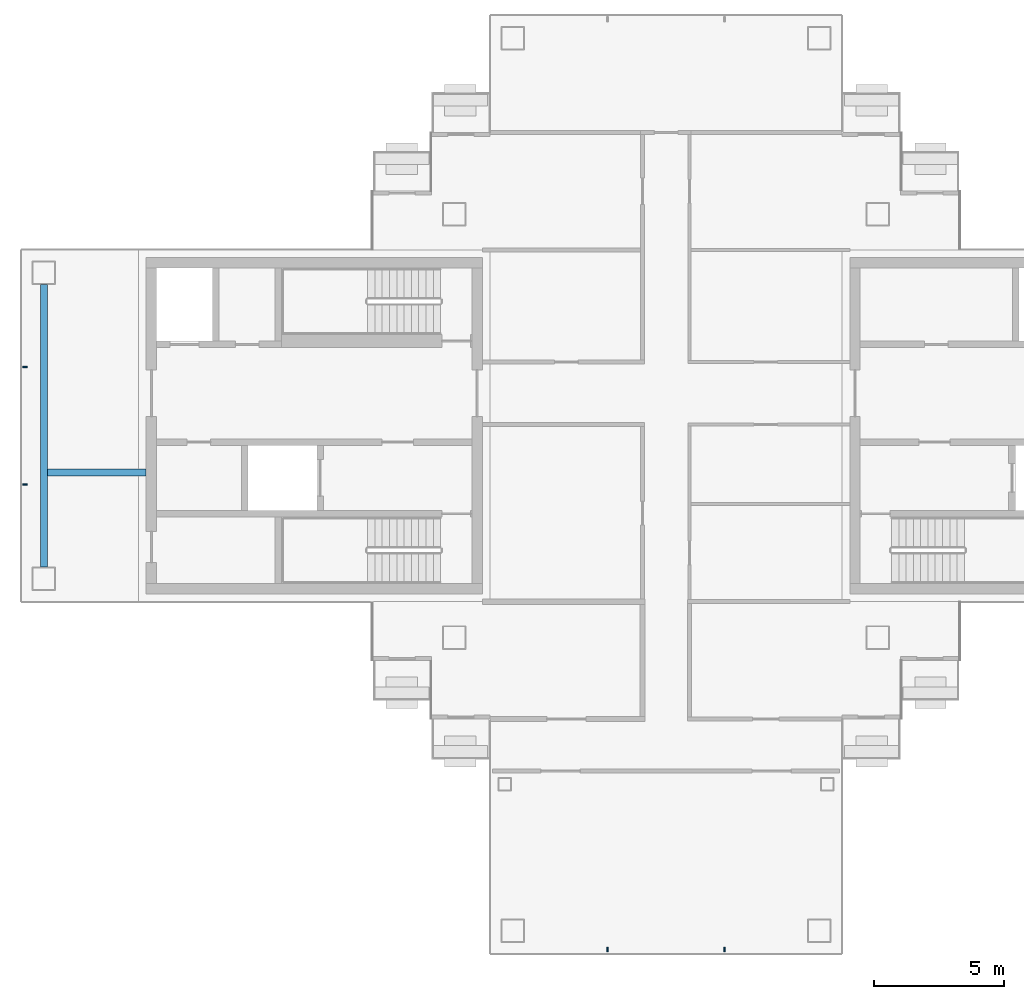
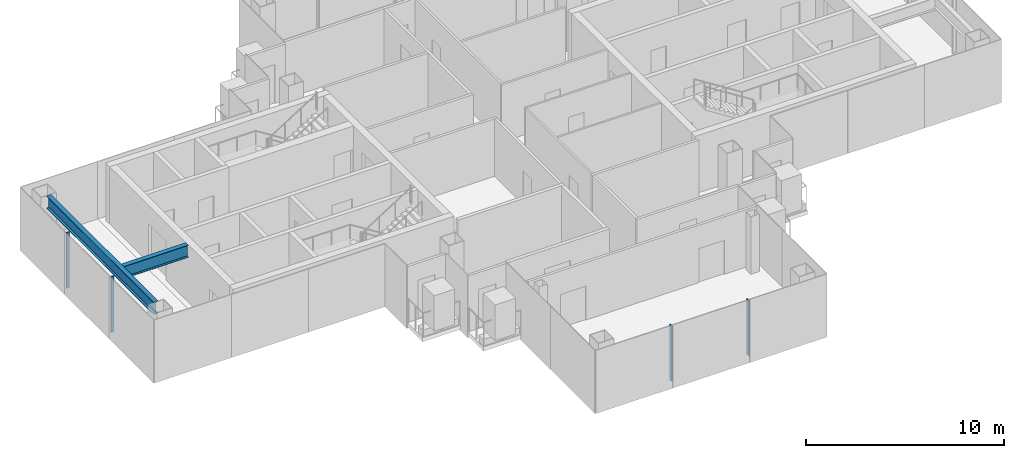
# One storey, part 3 of 16: 4 members, 2 beams, 2 elements without a shape of their own.
"""IFC4 building model written with IfcOpenShell, lengths in metres."""

import ifcopenshell
import ifcopenshell.guid

model = None  # the IFC model being written
_history = None  # IfcOwnerHistory: only IFC2X3 demands one
_inside = {}  # id of a spatial element -> (the spatial element, [elements in it])
_under = {}  # id of a project, library or spatial element -> (it, [spatial elements below it])
_declared = {}  # id of a project -> (the project, [libraries it declares])
_typed = {}  # id of a type object -> (the type object, [elements of that type])
_made_of = {}  # id of a material, layer set ... -> (it, [elements and type objects made of it])


def new_model(schema):
    """Start an empty IFC model of exactly this schema.

    Asked for "IFC4X3", IfcOpenShell would pick the latest addendum, in which some entities
    have other attributes; the version numbers below select the first issue.
    IFC2X3 requires an IfcOwnerHistory on every rooted entity: one is made here for all.
    """
    global model, _history
    if schema == "IFC4X3":
        model = ifcopenshell.file(schema_version=(4, 3, 0, 0))
    else:
        model = ifcopenshell.file(schema=schema)
    _inside.clear()
    _under.clear()
    _declared.clear()
    _typed.clear()
    _made_of.clear()
    _history = None
    if model.schema == "IFC2X3":
        org = make("IfcOrganization", Name="unknown")
        user = make(
            "IfcPersonAndOrganization",
            ThePerson=make("IfcPerson", FamilyName="unknown"),
            TheOrganization=org,
        )
        app = make(
            "IfcApplication",
            ApplicationDeveloper=org,
            Version="unknown",
            ApplicationFullName="unknown",
            ApplicationIdentifier="unknown",
        )
        _history = make(
            "IfcOwnerHistory",
            OwningUser=user,
            OwningApplication=app,
            ChangeAction="ADDED",
            CreationDate=0,
        )
    return model


def make(cls, **values):
    """One entity of the class cls with the attributes given. An attribute that is None is left unset."""
    return model.create_entity(
        cls, **{name: value for name, value in values.items() if value is not None}
    )


def rooted(cls, **values):
    """An entity with a GlobalId (a new one), such as an element, a storey or a relation."""
    return make(cls, GlobalId=ifcopenshell.guid.new(), OwnerHistory=_history, **values)


def si_unit(unit_type, name, prefix=None):
    """IfcSIUnit, for example si_unit("LENGTHUNIT", "METRE", prefix="MILLI")."""
    return make("IfcSIUnit", UnitType=unit_type, Prefix=prefix, Name=name)


def assignment(units):
    """IfcUnitAssignment: the units of a project."""
    return None if units is None else make("IfcUnitAssignment", Units=units)


def point(xyz):
    """IfcCartesianPoint."""
    return None if xyz is None else make("IfcCartesianPoint", Coordinates=xyz)


def direction(xyz):
    """IfcDirection."""
    return None if xyz is None else make("IfcDirection", DirectionRatios=xyz)


def frame(location, z_axis=None, x_axis=None):
    """IfcAxis2Placement3D, a coordinate frame: its origin and axes. An axis left out is left unset."""
    return make(
        "IfcAxis2Placement3D",
        Location=point(location),
        Axis=direction(z_axis),
        RefDirection=direction(x_axis),
    )


def frame_2d(location, x_axis=None):
    """IfcAxis2Placement2D, a coordinate frame in the plane: its origin and x axis."""
    return make(
        "IfcAxis2Placement2D", Location=point(location), RefDirection=direction(x_axis)
    )


def origin():
    """The frame at (0, 0, 0) with its axes left unset."""
    return frame((0.0, 0.0, 0.0))


def origin_2d():
    """The frame at (0, 0) in the plane with its x axis left unset."""
    return frame_2d((0.0, 0.0))


def place(relative_to, where):
    """IfcLocalPlacement: puts the frame where relative to a parent placement (None: the world)."""
    return make(
        "IfcLocalPlacement", PlacementRelTo=relative_to, RelativePlacement=where
    )


def context(
    kind, dimensions, precision=None, world=None, true_north=None, identifier=None
):
    """IfcGeometricRepresentationContext, for example the 3D "Model" context."""
    return make(
        "IfcGeometricRepresentationContext",
        ContextIdentifier=identifier,
        ContextType=kind,
        CoordinateSpaceDimension=dimensions,
        Precision=precision,
        WorldCoordinateSystem=world,
        TrueNorth=true_north,
    )


def subcontext(parent, identifier, kind, view, scale=None):
    """IfcGeometricRepresentationSubContext, for example "Body" below "Model"."""
    return make(
        "IfcGeometricRepresentationSubContext",
        ContextIdentifier=identifier,
        ContextType=kind,
        ParentContext=parent,
        TargetScale=scale,
        TargetView=view,
    )


def project(units=None, contexts=None):
    """IfcProject with its units and contexts."""
    return rooted(
        "IfcProject",
        Name="project",
        RepresentationContexts=contexts,
        UnitsInContext=assignment(units),
    )


def spatial(cls, under=None, at=None, **own):
    """A site, building, storey or space (cls), placed at a placement, below another one or the project."""
    s = rooted(cls, ObjectPlacement=at, **own)
    if under is not None:
        _under.setdefault(under.id(), (under, []))[1].append(s)
    return s


def profile(cls, at=None, kind="AREA", **sizes):
    """A parametric profile (cls). Its sizes go by their IFC names, for example OverallWidth=200.0."""
    return make(cls, ProfileType=kind, Position=at, **sizes)


def rectangle(**sizes):
    """IfcRectangleProfileDef."""
    return profile("IfcRectangleProfileDef", **sizes)


def i_section(**sizes):
    """IfcIShapeProfileDef."""
    return profile("IfcIShapeProfileDef", **sizes)


def extrude(swept, where, along, depth):
    """IfcExtrudedAreaSolid: the profile swept, set in the frame where, extruded along a direction by depth."""
    return make(
        "IfcExtrudedAreaSolid",
        SweptArea=swept,
        Position=where,
        ExtrudedDirection=direction(along),
        Depth=depth,
    )


def shape(context_of_items, identifier, shape_type, items):
    """IfcShapeRepresentation: the items that make up one representation, for example the "Body"."""
    return make(
        "IfcShapeRepresentation",
        ContextOfItems=context_of_items,
        RepresentationIdentifier=identifier,
        RepresentationType=shape_type,
        Items=items,
    )


def material(Name=None, Category=None):
    """IfcMaterial."""
    return make("IfcMaterial", Name=Name, Category=Category)


def layer(
    of_material, thickness, ventilated=None, Name=None, Category=None, Priority=None
):
    """IfcMaterialLayer: one layer of a wall or slab, of a material (None: an air gap)."""
    return make(
        "IfcMaterialLayer",
        Material=of_material,
        LayerThickness=thickness,
        IsVentilated=ventilated,
        Name=Name,
        Category=Category,
        Priority=Priority,
    )


def layer_set(layers, Name=None):
    """IfcMaterialLayerSet."""
    return make("IfcMaterialLayerSet", MaterialLayers=layers, LayerSetName=Name)


def material_profile(
    of_material, cross_section, Name=None, Category=None, Priority=None
):
    """IfcMaterialProfile: a cross section and its material."""
    return make(
        "IfcMaterialProfile",
        Name=Name,
        Material=of_material,
        Profile=cross_section,
        Priority=Priority,
        Category=Category,
    )


def profile_set(profiles, Name=None, composite=None):
    """IfcMaterialProfileSet."""
    return make(
        "IfcMaterialProfileSet",
        Name=Name,
        MaterialProfiles=profiles,
        CompositeProfile=composite,
    )


def made_of(thing, what):
    """Note that an element or type object is made of a material, layer set ...; save() writes the relation."""
    if what is not None:
        _made_of.setdefault(what.id(), (what, []))[1].append(thing)
    return thing


def type_object(cls, material=None, **own):
    """A type object (cls), such as IfcWallType, which elements share."""
    return made_of(rooted(cls, **own), material)


def element(
    cls,
    number,
    at=None,
    inside=None,
    cuts=None,
    type_object=None,
    material=None,
    context=None,
    identifier="Body",
    shape_type=None,
    held_by="IfcProductDefinitionShape",
    body=None,
    shapes=None,
    **own,
):
    """One element of the class cls, such as IfcWall. Its Tag is "e" and its number.

    at: its placement. inside: the storey or other place that contains it. cuts: it is an
    opening in that element (IfcRelVoidsElement). A single representation is given by context,
    identifier, shape_type and body (its items); several are given by shapes. held_by: the class
    of the entity that holds the representations. save() writes the other relations.
    """
    e = rooted(cls, Tag="e%d" % number, ObjectPlacement=at, **own)
    if body is not None:
        shapes = [shape(context, identifier, shape_type, body)]
    if shapes is not None:
        e.Representation = make(held_by, Representations=shapes)
    if inside is not None:
        _inside.setdefault(inside.id(), (inside, []))[1].append(e)
    if cuts is not None:
        rooted(
            "IfcRelVoidsElement", RelatingBuildingElement=cuts, RelatedOpeningElement=e
        )
    if type_object is not None:
        _typed.setdefault(type_object.id(), (type_object, []))[1].append(e)
    return made_of(e, material)


def aggregate(whole, parts):
    """IfcRelAggregates: a whole, such as a stair, and the parts it consists of."""
    return rooted("IfcRelAggregates", RelatingObject=whole, RelatedObjects=parts)


def save(model, path):
    """Write the relations noted so far, then the file.

    IfcRelAggregates (storeys below a building ...), IfcRelContainedInSpatialStructure (elements
    in a storey), IfcRelDefinesByType, IfcRelAssociatesMaterial and IfcRelDeclares: one each for
    every whole, place, type object, material and project.
    """
    for whole, parts in _under.values():
        aggregate(whole, parts)
    for where, things in _inside.values():
        rooted(
            "IfcRelContainedInSpatialStructure",
            RelatedElements=things,
            RelatingStructure=where,
        )
    for kind, things in _typed.values():
        rooted("IfcRelDefinesByType", RelatedObjects=things, RelatingType=kind)
    for what, things in _made_of.values():
        rooted("IfcRelAssociatesMaterial", RelatedObjects=things, RelatingMaterial=what)
    for by, libraries in _declared.values():
        rooted("IfcRelDeclares", RelatingContext=by, RelatedDefinitions=libraries)
    model.write(path)


model = new_model("IFC4")

# Units and contexts
model_context = context("Model", 3, precision=1e-05, world=origin(), true_north=direction((0.0, 1.0)))
body_context = subcontext(model_context, "Body", "Model", "MODEL_VIEW")
ifc_project = project(units=[si_unit("LENGTHUNIT", "METRE"), si_unit("AREAUNIT", "SQUARE_METRE"), si_unit("VOLUMEUNIT", "CUBIC_METRE"), si_unit("PLANEANGLEUNIT", "RADIAN"), si_unit("MASSUNIT", "GRAM", prefix="KILO")], contexts=[model_context])

# Site, building, storey
site_placement = place(None, origin())
site = spatial("IfcSite", under=ifc_project, at=site_placement, CompositionType="ELEMENT")
building_placement = place(site_placement, origin())
building = spatial("IfcBuilding", under=site, at=building_placement, Name="Shamsa Quay Exchange Towers", CompositionType="ELEMENT")
storey_placement = place(building_placement, frame((0.0, 0.0, 265.5)))
storey = spatial("IfcBuildingStorey", under=building, at=storey_placement, Name="L64", CompositionType="ELEMENT", Elevation=265.5)

# Curtain wall, members
ifc_material_1 = material(Name="Aluminium EN AW-6063 T6, black anodised", Category="aluminium")
ifc_layer = layer(ifc_material_1, 0.280029296875)
ifc_layer_set = layer_set([ifc_layer], Name="CW-1 UNITISED VISION GLASS")
curtain_wall_type = type_object("IfcCurtainWallType", Name="CW-1 UNITISED VISION GLASS", PredefinedType="NOTDEFINED", material=ifc_layer_set)
curtain_wall_1_placement = place(storey_placement, origin())
curtain_wall_1 = element("IfcCurtainWall", 1, at=curtain_wall_1_placement, inside=storey, type_object=curtain_wall_type, Name="CW1 T1-END-V- L64", PredefinedType="NOTDEFINED")
ifc_material_profile_1 = material_profile(ifc_material_1, rectangle(XDim=0.179931640625, YDim=0.06005859375, at=origin_2d()), Name="MU60x180")
ifc_profile_set_1 = profile_set([ifc_material_profile_1], Name="Aluminium EN AW-6063 T6, black anodised")
member_type = type_object("IfcMemberType", Name="CW1 MULLION 60x180", PredefinedType="MULLION", material=ifc_profile_set_1)
member_1_placement = place(storey_placement, frame((-36.0, -20.10009765625, 0.0), z_axis=(0.0, 0.0, 1.0), x_axis=(0.0, 1.0, 0.0)))
member_1 = element("IfcMember", 2, at=member_1_placement, type_object=member_type, Name="CW1 mullion", PredefinedType="MULLION", context=body_context, shape_type="SweptSolid", body=[
    extrude(rectangle(XDim=0.179931640625, YDim=0.06005859375, at=origin_2d()), origin(), (0.0, 0.0, 1.0), 3.449951171875),
])
member_2_placement = place(storey_placement, frame((-31.5, -20.10009765625, 0.0), z_axis=(0.0, 0.0, 1.0), x_axis=(0.0, 1.0, 0.0)))
member_2 = element("IfcMember", 3, at=member_2_placement, type_object=member_type, Name="CW1 mullion", PredefinedType="MULLION", context=body_context, shape_type="SweptSolid", body=[
    extrude(rectangle(XDim=0.179931640625, YDim=0.06005859375, at=origin_2d()), origin(), (0.0, 0.0, 1.0), 3.449951171875),
])
aggregate(curtain_wall_1, [member_1, member_2])

curtain_wall_2_placement = place(storey_placement, origin())
curtain_wall_2 = element("IfcCurtainWall", 4, at=curtain_wall_2_placement, inside=storey, type_object=curtain_wall_type, Name="CW1 T1-END-U- L64", PredefinedType="NOTDEFINED")
member_3_placement = place(storey_placement, frame((-58.35009765625, 2.25, 0.0)))
member_3 = element("IfcMember", 5, at=member_3_placement, type_object=member_type, Name="CW1 mullion", PredefinedType="MULLION", context=body_context, shape_type="SweptSolid", body=[
    extrude(rectangle(XDim=0.179931640625, YDim=0.06005859375, at=origin_2d()), origin(), (0.0, 0.0, 1.0), 3.449951171875),
])
member_4_placement = place(storey_placement, frame((-58.35009765625, -2.25, 0.0)))
member_4 = element("IfcMember", 6, at=member_4_placement, type_object=member_type, Name="CW1 mullion", PredefinedType="MULLION", context=body_context, shape_type="SweptSolid", body=[
    extrude(rectangle(XDim=0.179931640625, YDim=0.06005859375, at=origin_2d()), origin(), (0.0, 0.0, 1.0), 3.449951171875),
])
aggregate(curtain_wall_2, [member_3, member_4])

# Beams
ifc_material_2 = material(Name="Steel S355", Category="steel")
ifc_material_profile_2 = material_profile(ifc_material_2, i_section(OverallWidth=0.26611328125, OverallDepth=0.7578125, WebThickness=0.013916015625, FlangeThickness=0.019287109375, at=origin_2d()), Name="W30x108")
ifc_profile_set_2 = profile_set([ifc_material_profile_2], Name="Steel S355")
beam_type = type_object("IfcBeamType", Name="End-zone beam W30x108", PredefinedType="BEAM", material=ifc_profile_set_2)
beam_1_placement = place(storey_placement, frame((-57.625, -5.425048828125, 3.171142578125), z_axis=(0.0, 1.0, 0.0), x_axis=(-1.0, 0.0, 0.0)))
element("IfcBeam", 7, at=beam_1_placement, inside=storey, type_object=beam_type, Name="End beam T1 U- end zone L64", PredefinedType="BEAM", context=body_context, shape_type="SweptSolid", body=[
    extrude(i_section(OverallWidth=0.26611328125, OverallDepth=0.7578125, WebThickness=0.013916015625, FlangeThickness=0.019287109375, at=origin_2d()), origin(), (0.0, 0.0, 1.0), 10.85009765625),
])
beam_2_placement = place(storey_placement, frame((-53.699951171875, -1.800048828125, 3.171142578125), z_axis=(-1.0, 0.0, 0.0), x_axis=(0.0, -1.0, 0.0)))
element("IfcBeam", 8, at=beam_2_placement, inside=storey, type_object=beam_type, Name="Spine beam T1 U- end zone L64", PredefinedType="BEAM", context=body_context, shape_type="SweptSolid", body=[
    extrude(i_section(OverallWidth=0.26611328125, OverallDepth=0.7578125, WebThickness=0.013916015625, FlangeThickness=0.019287109375, at=origin_2d()), origin(), (0.0, 0.0, 1.0), 3.7919921875),
])

save(model, "model.ifc")
